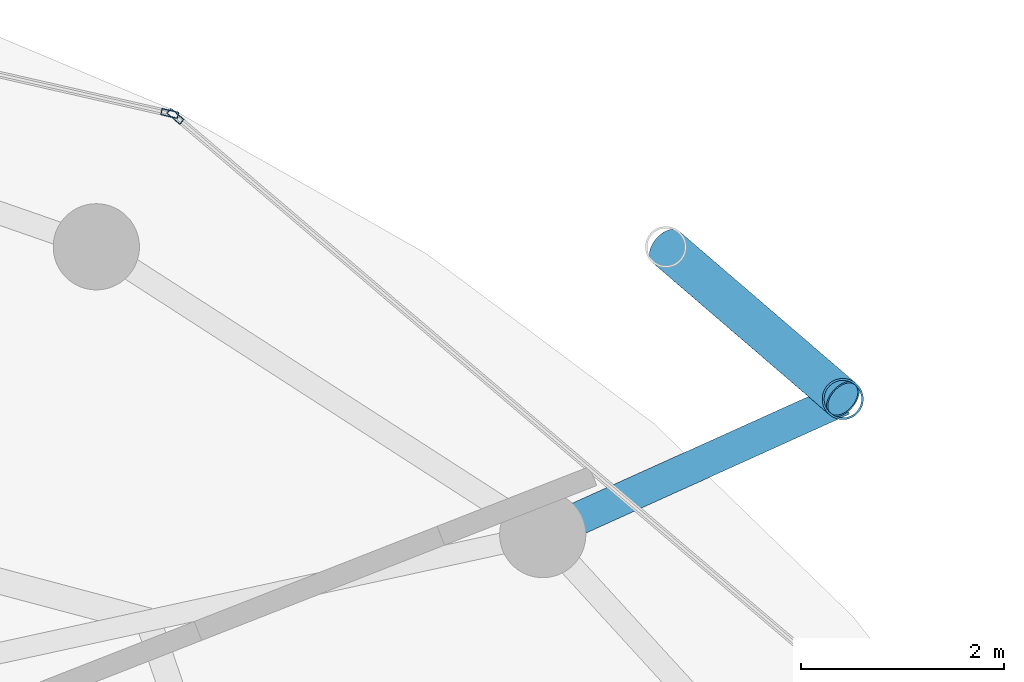
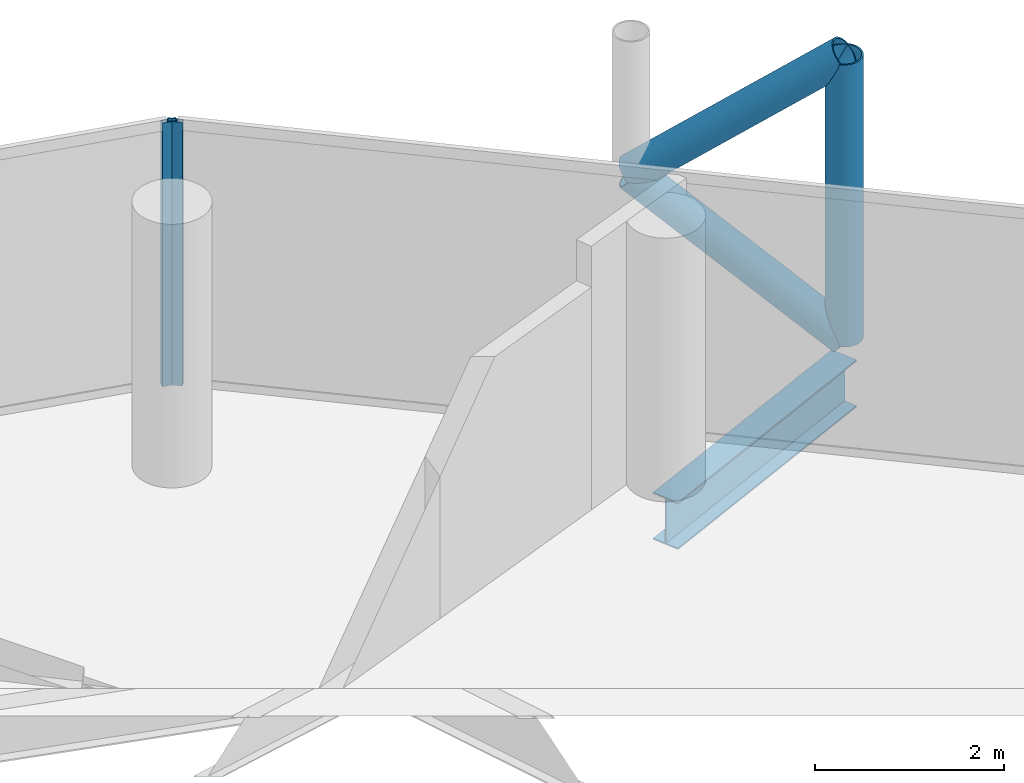
# One storey, part 21 of 27: 5 members, 1 beam, 2 elements without a shape of their own.
"""IFC4 building model written with IfcOpenShell, lengths in metres."""

import ifcopenshell
import ifcopenshell.guid

model = None  # the IFC model being written
_history = None  # IfcOwnerHistory: only IFC2X3 demands one
_inside = {}  # id of a spatial element -> (the spatial element, [elements in it])
_under = {}  # id of a project, library or spatial element -> (it, [spatial elements below it])
_declared = {}  # id of a project -> (the project, [libraries it declares])
_typed = {}  # id of a type object -> (the type object, [elements of that type])
_made_of = {}  # id of a material, layer set ... -> (it, [elements and type objects made of it])


def new_model(schema):
    """Start an empty IFC model of exactly this schema.

    Asked for "IFC4X3", IfcOpenShell would pick the latest addendum, in which some entities
    have other attributes; the version numbers below select the first issue.
    IFC2X3 requires an IfcOwnerHistory on every rooted entity: one is made here for all.
    """
    global model, _history
    if schema == "IFC4X3":
        model = ifcopenshell.file(schema_version=(4, 3, 0, 0))
    else:
        model = ifcopenshell.file(schema=schema)
    _inside.clear()
    _under.clear()
    _declared.clear()
    _typed.clear()
    _made_of.clear()
    _history = None
    if model.schema == "IFC2X3":
        org = make("IfcOrganization", Name="unknown")
        user = make(
            "IfcPersonAndOrganization",
            ThePerson=make("IfcPerson", FamilyName="unknown"),
            TheOrganization=org,
        )
        app = make(
            "IfcApplication",
            ApplicationDeveloper=org,
            Version="unknown",
            ApplicationFullName="unknown",
            ApplicationIdentifier="unknown",
        )
        _history = make(
            "IfcOwnerHistory",
            OwningUser=user,
            OwningApplication=app,
            ChangeAction="ADDED",
            CreationDate=0,
        )
    return model


def make(cls, **values):
    """One entity of the class cls with the attributes given. An attribute that is None is left unset."""
    return model.create_entity(
        cls, **{name: value for name, value in values.items() if value is not None}
    )


def rooted(cls, **values):
    """An entity with a GlobalId (a new one), such as an element, a storey or a relation."""
    return make(cls, GlobalId=ifcopenshell.guid.new(), OwnerHistory=_history, **values)


def si_unit(unit_type, name, prefix=None):
    """IfcSIUnit, for example si_unit("LENGTHUNIT", "METRE", prefix="MILLI")."""
    return make("IfcSIUnit", UnitType=unit_type, Prefix=prefix, Name=name)


def assignment(units):
    """IfcUnitAssignment: the units of a project."""
    return None if units is None else make("IfcUnitAssignment", Units=units)


def point(xyz):
    """IfcCartesianPoint."""
    return None if xyz is None else make("IfcCartesianPoint", Coordinates=xyz)


def direction(xyz):
    """IfcDirection."""
    return None if xyz is None else make("IfcDirection", DirectionRatios=xyz)


def frame(location, z_axis=None, x_axis=None):
    """IfcAxis2Placement3D, a coordinate frame: its origin and axes. An axis left out is left unset."""
    return make(
        "IfcAxis2Placement3D",
        Location=point(location),
        Axis=direction(z_axis),
        RefDirection=direction(x_axis),
    )


def frame_2d(location, x_axis=None):
    """IfcAxis2Placement2D, a coordinate frame in the plane: its origin and x axis."""
    return make(
        "IfcAxis2Placement2D", Location=point(location), RefDirection=direction(x_axis)
    )


def origin():
    """The frame at (0, 0, 0) with its axes left unset."""
    return frame((0.0, 0.0, 0.0))


def origin_2d():
    """The frame at (0, 0) in the plane with its x axis left unset."""
    return frame_2d((0.0, 0.0))


def place(relative_to, where):
    """IfcLocalPlacement: puts the frame where relative to a parent placement (None: the world)."""
    return make(
        "IfcLocalPlacement", PlacementRelTo=relative_to, RelativePlacement=where
    )


def context(
    kind, dimensions, precision=None, world=None, true_north=None, identifier=None
):
    """IfcGeometricRepresentationContext, for example the 3D "Model" context."""
    return make(
        "IfcGeometricRepresentationContext",
        ContextIdentifier=identifier,
        ContextType=kind,
        CoordinateSpaceDimension=dimensions,
        Precision=precision,
        WorldCoordinateSystem=world,
        TrueNorth=true_north,
    )


def subcontext(parent, identifier, kind, view, scale=None):
    """IfcGeometricRepresentationSubContext, for example "Body" below "Model"."""
    return make(
        "IfcGeometricRepresentationSubContext",
        ContextIdentifier=identifier,
        ContextType=kind,
        ParentContext=parent,
        TargetScale=scale,
        TargetView=view,
    )


def project(units=None, contexts=None):
    """IfcProject with its units and contexts."""
    return rooted(
        "IfcProject",
        Name="project",
        RepresentationContexts=contexts,
        UnitsInContext=assignment(units),
    )


def spatial(cls, under=None, at=None, **own):
    """A site, building, storey or space (cls), placed at a placement, below another one or the project."""
    s = rooted(cls, ObjectPlacement=at, **own)
    if under is not None:
        _under.setdefault(under.id(), (under, []))[1].append(s)
    return s


def profile(cls, at=None, kind="AREA", **sizes):
    """A parametric profile (cls). Its sizes go by their IFC names, for example OverallWidth=200.0."""
    return make(cls, ProfileType=kind, Position=at, **sizes)


def hollow_rectangle(**sizes):
    """IfcRectangleHollowProfileDef."""
    return profile("IfcRectangleHollowProfileDef", **sizes)


def hollow_circle(**sizes):
    """IfcCircleHollowProfileDef."""
    return profile("IfcCircleHollowProfileDef", **sizes)


def i_section(**sizes):
    """IfcIShapeProfileDef."""
    return profile("IfcIShapeProfileDef", **sizes)


def extrude(swept, where, along, depth):
    """IfcExtrudedAreaSolid: the profile swept, set in the frame where, extruded along a direction by depth."""
    return make(
        "IfcExtrudedAreaSolid",
        SweptArea=swept,
        Position=where,
        ExtrudedDirection=direction(along),
        Depth=depth,
    )


def shape(context_of_items, identifier, shape_type, items):
    """IfcShapeRepresentation: the items that make up one representation, for example the "Body"."""
    return make(
        "IfcShapeRepresentation",
        ContextOfItems=context_of_items,
        RepresentationIdentifier=identifier,
        RepresentationType=shape_type,
        Items=items,
    )


def material(Name=None, Category=None):
    """IfcMaterial."""
    return make("IfcMaterial", Name=Name, Category=Category)


def layer(
    of_material, thickness, ventilated=None, Name=None, Category=None, Priority=None
):
    """IfcMaterialLayer: one layer of a wall or slab, of a material (None: an air gap)."""
    return make(
        "IfcMaterialLayer",
        Material=of_material,
        LayerThickness=thickness,
        IsVentilated=ventilated,
        Name=Name,
        Category=Category,
        Priority=Priority,
    )


def layer_set(layers, Name=None):
    """IfcMaterialLayerSet."""
    return make("IfcMaterialLayerSet", MaterialLayers=layers, LayerSetName=Name)


def material_profile(
    of_material, cross_section, Name=None, Category=None, Priority=None
):
    """IfcMaterialProfile: a cross section and its material."""
    return make(
        "IfcMaterialProfile",
        Name=Name,
        Material=of_material,
        Profile=cross_section,
        Priority=Priority,
        Category=Category,
    )


def profile_set(profiles, Name=None, composite=None):
    """IfcMaterialProfileSet."""
    return make(
        "IfcMaterialProfileSet",
        Name=Name,
        MaterialProfiles=profiles,
        CompositeProfile=composite,
    )


def made_of(thing, what):
    """Note that an element or type object is made of a material, layer set ...; save() writes the relation."""
    if what is not None:
        _made_of.setdefault(what.id(), (what, []))[1].append(thing)
    return thing


def type_object(cls, material=None, **own):
    """A type object (cls), such as IfcWallType, which elements share."""
    return made_of(rooted(cls, **own), material)


def element(
    cls,
    number,
    at=None,
    inside=None,
    cuts=None,
    type_object=None,
    material=None,
    context=None,
    identifier="Body",
    shape_type=None,
    held_by="IfcProductDefinitionShape",
    body=None,
    shapes=None,
    **own,
):
    """One element of the class cls, such as IfcWall. Its Tag is "e" and its number.

    at: its placement. inside: the storey or other place that contains it. cuts: it is an
    opening in that element (IfcRelVoidsElement). A single representation is given by context,
    identifier, shape_type and body (its items); several are given by shapes. held_by: the class
    of the entity that holds the representations. save() writes the other relations.
    """
    e = rooted(cls, Tag="e%d" % number, ObjectPlacement=at, **own)
    if body is not None:
        shapes = [shape(context, identifier, shape_type, body)]
    if shapes is not None:
        e.Representation = make(held_by, Representations=shapes)
    if inside is not None:
        _inside.setdefault(inside.id(), (inside, []))[1].append(e)
    if cuts is not None:
        rooted(
            "IfcRelVoidsElement", RelatingBuildingElement=cuts, RelatedOpeningElement=e
        )
    if type_object is not None:
        _typed.setdefault(type_object.id(), (type_object, []))[1].append(e)
    return made_of(e, material)


def aggregate(whole, parts):
    """IfcRelAggregates: a whole, such as a stair, and the parts it consists of."""
    return rooted("IfcRelAggregates", RelatingObject=whole, RelatedObjects=parts)


def save(model, path):
    """Write the relations noted so far, then the file.

    IfcRelAggregates (storeys below a building ...), IfcRelContainedInSpatialStructure (elements
    in a storey), IfcRelDefinesByType, IfcRelAssociatesMaterial and IfcRelDeclares: one each for
    every whole, place, type object, material and project.
    """
    for whole, parts in _under.values():
        aggregate(whole, parts)
    for where, things in _inside.values():
        rooted(
            "IfcRelContainedInSpatialStructure",
            RelatedElements=things,
            RelatingStructure=where,
        )
    for kind, things in _typed.values():
        rooted("IfcRelDefinesByType", RelatedObjects=things, RelatingType=kind)
    for what, things in _made_of.values():
        rooted("IfcRelAssociatesMaterial", RelatedObjects=things, RelatingMaterial=what)
    for by, libraries in _declared.values():
        rooted("IfcRelDeclares", RelatingContext=by, RelatedDefinitions=libraries)
    model.write(path)


model = new_model("IFC4")

# Units and contexts
model_context = context("Model", 3, precision=1e-05, world=origin(), true_north=direction((0.0, 1.0)))
body_context = subcontext(model_context, "Body", "Model", "MODEL_VIEW")
ifc_project = project(units=[si_unit("LENGTHUNIT", "METRE"), si_unit("AREAUNIT", "SQUARE_METRE"), si_unit("VOLUMEUNIT", "CUBIC_METRE"), si_unit("PLANEANGLEUNIT", "RADIAN"), si_unit("MASSUNIT", "GRAM", prefix="KILO")], contexts=[model_context])

# Site, building, storey
site_placement = place(None, origin())
site = spatial("IfcSite", under=ifc_project, at=site_placement, CompositionType="ELEMENT")
building_placement = place(site_placement, origin())
building = spatial("IfcBuilding", under=site, at=building_placement, Name="Nuhasar Tower", CompositionType="ELEMENT")
storey_placement = place(building_placement, frame((0.0, 0.0, 248.300048828125)))
storey = spatial("IfcBuildingStorey", under=building, at=storey_placement, Name="L61", CompositionType="ELEMENT", Elevation=248.300048828125)

# Beam
ifc_material_1 = material(Name="Steel S355", Category="steel")
ifc_material_profile_1 = material_profile(ifc_material_1, i_section(OverallWidth=0.323974609375, OverallDepth=0.611083984375, WebThickness=0.0126953125, FlangeThickness=0.01904296875, at=origin_2d()), Name="W24X104")
ifc_profile_set_1 = profile_set([ifc_material_profile_1], Name="Steel S355")
beam_type = type_object("IfcBeamType", Name="BM-TIE-W24X104", PredefinedType="BEAM", material=ifc_profile_set_1)
beam_placement = place(storey_placement, frame((54.02587890625, 39.422119140625, -0.545166015625), z_axis=(0.911363318082, 0.411602845538, 0.0), x_axis=(-0.411602845538, 0.911363318082, 0.0)))
element("IfcBeam", 1, at=beam_placement, inside=storey, type_object=beam_type, Name="L61 Exoskeleton Node Tie Beam 02", PredefinedType="BEAM", context=body_context, shape_type="SweptSolid", body=[
    extrude(i_section(OverallWidth=0.323974609375, OverallDepth=0.611083984375, WebThickness=0.0126953125, FlangeThickness=0.01904296875, at=origin_2d()), origin(), (0.0, 0.0, 1.0), 3.24560546875),
])

# Curtain wall, member
ifc_material_2 = material(Name="Aluminium 6063-T6", Category="aluminium")
ifc_layer = layer(ifc_material_2, 0.18994140625)
ifc_layer_set = layer_set([ifc_layer], Name="Aluminium 6063-T6")
curtain_wall_type = type_object("IfcCurtainWallType", Name="CW-Z3-RES", PredefinedType="NOTDEFINED", material=ifc_layer_set)
curtain_wall_1_placement = place(storey_placement, origin())
curtain_wall_1 = element("IfcCurtainWall", 2, at=curtain_wall_1_placement, inside=storey, type_object=curtain_wall_type, Name="L61 Unitised Curtain Wall 02", PredefinedType="NOTDEFINED")
ifc_material_profile_2 = material_profile(ifc_material_2, hollow_rectangle(XDim=0.06494140625, YDim=0.169921875, WallThickness=0.0048828125, at=origin_2d()), Name="CWM-4")
ifc_profile_set_2 = profile_set([ifc_material_profile_2], Name="Aluminium 6063-T6")
member_type_1 = type_object("IfcMemberType", Name="CW-MUL-S4", PredefinedType="MULLION", material=ifc_profile_set_2)
member_1_placement = place(storey_placement, frame((50.40478515625, 43.544921875, 0.0), z_axis=(0.0, 0.0, 1.0), x_axis=(-0.64789521578, -0.761729472562, 0.0)))
member_1 = element("IfcMember", 3, at=member_1_placement, type_object=member_type_1, Name="CW-Z3 mullion 2", PredefinedType="MULLION", context=body_context, shape_type="SweptSolid", body=[
    extrude(hollow_rectangle(XDim=0.06494140625, YDim=0.169921875, WallThickness=0.0048828125, at=origin_2d()), origin(), (0.0, 0.0, 1.0), 3.409912109375),
])
aggregate(curtain_wall_1, [member_1])

curtain_wall_2_placement = place(storey_placement, origin())
curtain_wall_2 = element("IfcCurtainWall", 4, at=curtain_wall_2_placement, inside=storey, type_object=curtain_wall_type, Name="L61 Unitised Curtain Wall 03", PredefinedType="NOTDEFINED")
member_2_placement = place(storey_placement, frame((50.348388671875, 43.5732421875, 0.0), z_axis=(0.0, 0.0, 1.0), x_axis=(-0.222243176313, -0.974991266926, 0.0)))
member_2 = element("IfcMember", 5, at=member_2_placement, type_object=member_type_1, Name="CW-Z3 mullion 1", PredefinedType="MULLION", context=body_context, shape_type="SweptSolid", body=[
    extrude(hollow_rectangle(XDim=0.06494140625, YDim=0.169921875, WallThickness=0.0048828125, at=origin_2d()), origin(), (0.0, 0.0, 1.0), 3.409912109375),
])
aggregate(curtain_wall_2, [member_2])

# Members
ifc_material_3 = material(Name="Steel S460", Category="steel")
ifc_material_profile_3 = material_profile(ifc_material_3, hollow_circle(Radius=0.203125, WallThickness=0.01904296875, at=origin_2d()), Name="HSS406.4X19.1")
ifc_profile_set_3 = profile_set([ifc_material_profile_3], Name="Steel S460")
member_type_2 = type_object("IfcMemberType", Name="EXO-BRONZE-406", PredefinedType="BRACE", material=ifc_profile_set_3)
member_3_placement = place(storey_placement, frame((56.98388671875, 40.758056640625, 0.0), z_axis=(0.0, 0.0, 1.0), x_axis=(1.0, 0.0, 0.0)))
element("IfcMember", 6, at=member_3_placement, inside=storey, type_object=member_type_2, Name="L61 Exoskeleton Chord Column EC-02A", PredefinedType="BRACE", context=body_context, shape_type="SweptSolid", body=[
    extrude(hollow_circle(Radius=0.203125, WallThickness=0.01904296875, at=origin_2d()), origin(), (0.0, 0.0, 1.0), 3.64990234375),
])
for number, where, z_axis, x_axis, name in (
    (7, (56.98388671875, 40.758056640625, 0.0), (-0.594018535389, 0.510608120858, 0.621627964725), (-0.65185738425, -0.758341579104, 0.0), "L61 Bronze Diagrid Brace W1-02"),
    (8, (55.239990234375, 42.257080078125, 1.824951171875), (0.594018535389, -0.510608120858, 0.621627964725), (0.65185738425, 0.758341579104, 0.0), "L61 Bronze Diagrid Brace W2-02"),
):
    element("IfcMember", number, at=place(storey_placement, frame(where, z_axis=z_axis, x_axis=x_axis)), inside=storey, type_object=member_type_2, Name=name, PredefinedType="BRACE", context=body_context, shape_type="SweptSolid", body=[
        extrude(hollow_circle(Radius=0.203125, WallThickness=0.01904296875, at=origin_2d()), origin(), (0.0, 0.0, 1.0), 2.935791015625),
    ])

save(model, "model.ifc")
